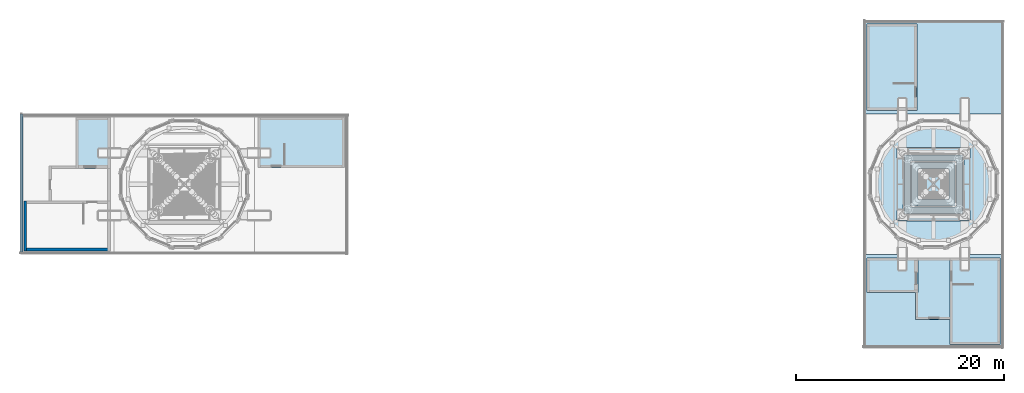
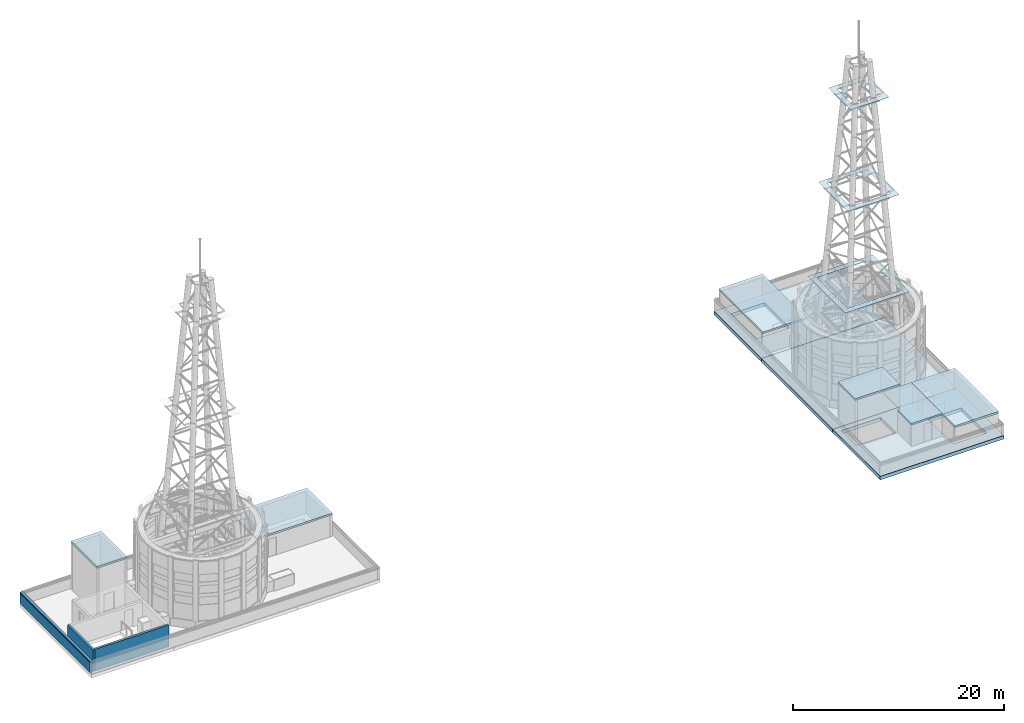
# One storey, part 10 of 36: 12 slabs, 4 walls.
"""IFC4 building model written with IfcOpenShell, lengths in metres."""

from ifc_helpers import new_model, si_unit, direction, frame, frame_2d, origin, place, context, subcontext, project, spatial, polyline, rectangle, outline, extrude, material, layer, layer_set, type_object, element, save


model = new_model("IFC4")

# Units and contexts
model_context = context("Model", 3, precision=1e-05, world=origin(), true_north=direction((0.0, 1.0)))
body_context = subcontext(model_context, "Body", "Model", "MODEL_VIEW")
ifc_project = project(units=[si_unit("LENGTHUNIT", "METRE"), si_unit("AREAUNIT", "SQUARE_METRE"), si_unit("VOLUMEUNIT", "CUBIC_METRE"), si_unit("PLANEANGLEUNIT", "RADIAN"), si_unit("MASSUNIT", "GRAM", prefix="KILO")], contexts=[model_context])

# Site, building, storey
site_placement = place(None, origin())
site = spatial("IfcSite", under=ifc_project, at=site_placement, CompositionType="ELEMENT")
building_placement = place(site_placement, origin())
building = spatial("IfcBuilding", under=site, at=building_placement, Name="Ipe Terrace Towers", CompositionType="ELEMENT")
storey_placement = place(building_placement, frame((0.0, 0.0, 264.89990234375)))
storey = spatial("IfcBuildingStorey", under=building, at=storey_placement, Name="Roof", CompositionType="ELEMENT", Elevation=264.89990234375)

# Slabs
ifc_material_1 = material(Name="Concrete C40/50", Category="concrete")
ifc_layer_1 = layer(ifc_material_1, 0.39990234375)
ifc_layer_set_1 = layer_set([ifc_layer_1], Name="CORE ROOF SLAB 400 C40-50")
slab_type_1 = type_object("IfcSlabType", Name="CORE ROOF SLAB 400 C40-50", PredefinedType="ROOF", material=ifc_layer_set_1)
slab_1_placement = place(storey_placement, frame((0.0, 0.0, -0.39990234375)))
element("IfcSlab", 1, at=slab_1_placement, inside=storey, type_object=slab_type_1, Name="Core roof T2-C1", PredefinedType="ROOF", context=body_context, shape_type="SweptSolid", body=[
    extrude(outline(polyline([(29.25, 6.75), (29.25, 15.75), (42.75, 15.75), (42.75, 6.75), (29.25, 6.75)]), holes=[polyline([(34.10009765625, 14.550048828125), (30.449951171875, 14.550048828125), (30.449951171875, 9.800048828125), (34.10009765625, 9.800048828125), (34.10009765625, 14.550048828125)])]), origin(), (0.0, 0.0, 1.0), 0.39990234375),
])
slab_2_placement = place(storey_placement, frame((0.0, 0.0, -0.39990234375)))
element("IfcSlab", 2, at=slab_2_placement, inside=storey, type_object=slab_type_1, Name="Core roof T2-C2", PredefinedType="ROOF", context=body_context, shape_type="SweptSolid", body=[
    extrude(outline(polyline([(29.25, -15.75), (29.25, -6.75), (42.75, -6.75), (42.75, -15.75), (29.25, -15.75)]), holes=[polyline([(37.89990234375, -9.800048828125), (37.89990234375, -14.550048828125), (41.550048828125, -14.550048828125), (41.550048828125, -9.800048828125), (37.89990234375, -9.800048828125)]), polyline([(29.85009765625, -7.35009765625), (29.85009765625, -10.14990234375), (34.14990234375, -10.14990234375), (34.14990234375, -7.35009765625), (29.85009765625, -7.35009765625)])]), origin(), (0.0, 0.0, 1.0), 0.39990234375),
])
ifc_material_2 = material(Name="Concrete C40/50", Category="concrete")
ifc_layer_2 = layer(ifc_material_2, 0.409912109375)
ifc_layer_set_2 = layer_set([ifc_layer_2], Name="FLAT PLATE ROOF SLAB 410 C40-50")
slab_type_2 = type_object("IfcSlabType", Name="FLAT PLATE ROOF SLAB 410 C40-50", PredefinedType="ROOF", material=ifc_layer_set_2)
slab_3_placement = place(storey_placement, frame((0.0, 0.0, -0.409912109375)))
element("IfcSlab", 3, at=slab_3_placement, inside=storey, type_object=slab_type_2, Name="Slab T2-FS-Z41", PredefinedType="ROOF", context=body_context, shape_type="SweptSolid", body=[
    extrude(outline(polyline([(29.25, 6.75), (42.75, 6.75), (42.75, -6.75), (29.25, -6.75), (29.25, 6.75)])), origin(), (0.0, 0.0, 1.0), 0.409912109375),
])
ifc_material_3 = material(Name="Concrete C40/50", Category="concrete")
ifc_layer_3 = layer(ifc_material_3, 0.199951171875)
ifc_layer_set_3 = layer_set([ifc_layer_3], Name="LIFT HEAD-HOUSE LOBBY ROOF SLAB 200 C40-50")
slab_type_3 = type_object("IfcSlabType", Name="LIFT HEAD-HOUSE LOBBY ROOF SLAB 200 C40-50", PredefinedType="ROOF", material=ifc_layer_set_3)
slab_4_placement = place(storey_placement, frame((0.0, 0.0, 2.5)))
element("IfcSlab", 4, at=slab_4_placement, inside=storey, type_object=slab_type_3, Name="Lift head-house roof T2-C2-lobby", PredefinedType="ROOF", context=body_context, shape_type="SweptSolid", body=[
    extrude(outline(polyline([(34.25, -13.0), (34.25, -10.39990234375), (34.5, -10.39990234375), (34.5, -7.10009765625), (37.60009765625, -7.10009765625), (37.60009765625, -13.0), (34.5, -13.0), (34.25, -13.0)])), origin(), (0.0, 0.0, 1.0), 0.2001953125),
])
ifc_material_4 = material(Name="Concrete C40/50", Category="concrete")
ifc_layer_4 = layer(ifc_material_4, 0.199951171875)
ifc_layer_set_4 = layer_set([ifc_layer_4], Name="LIFT HEAD-HOUSE ROOF SLAB 200 C40-50")
slab_type_4 = type_object("IfcSlabType", Name="LIFT HEAD-HOUSE ROOF SLAB 200 C40-50", PredefinedType="ROOF", material=ifc_layer_set_4)
slab_5_placement = place(storey_placement, frame((0.0, 0.0, 5.400146484375)))
element("IfcSlab", 5, at=slab_5_placement, inside=storey, type_object=slab_type_4, Name="Lift head-house roof T1-C2-shaft", PredefinedType="ROOF", context=body_context, shape_type="SweptSolid", body=[
    extrude(outline(polyline([(-43.10009765625, 6.39990234375), (-46.39990234375, 6.39990234375), (-46.39990234375, 1.5), (-43.10009765625, 1.5), (-43.10009765625, 6.39990234375)])), origin(), (0.0, 0.0, 1.0), 0.199951171875),
])
slab_6_placement = place(storey_placement, frame((0.0, 0.0, 5.400146484375)))
element("IfcSlab", 6, at=slab_6_placement, inside=storey, type_object=slab_type_4, Name="Lift head-house roof T2-C2-shaft", PredefinedType="ROOF", context=body_context, shape_type="SweptSolid", body=[
    extrude(outline(polyline([(29.60009765625, -7.10009765625), (29.60009765625, -10.39990234375), (34.5, -10.39990234375), (34.5, -7.10009765625), (29.60009765625, -7.10009765625)])), origin(), (0.0, 0.0, 1.0), 0.199951171875),
])
ifc_material_5 = material(Name="Steel S355 grating", Category="steel")
ifc_layer_5 = layer(ifc_material_5, 0.030029296875)
ifc_layer_set_5 = layer_set([ifc_layer_5], Name="MAST PLATFORM GRATING DECK 30")
slab_type_5 = type_object("IfcSlabType", Name="MAST PLATFORM GRATING DECK 30", PredefinedType="FLOOR", material=ifc_layer_set_5)
slab_7_placement = place(storey_placement, frame((0.0, 0.0, 10.297119140625)))
element("IfcSlab", 7, at=slab_7_placement, inside=storey, type_object=slab_type_5, Name="mast platform grating deck", PredefinedType="FLOOR", context=body_context, shape_type="SweptSolid", body=[
    extrude(outline(polyline([(39.52099609375, -3.52099609375), (39.52099609375, 3.52099609375), (32.47900390625, 3.52099609375), (32.47900390625, -3.52099609375), (39.52099609375, -3.52099609375)]), holes=[polyline([(38.9208984375, -2.9208984375), (38.9208984375, 2.9208984375), (33.0791015625, 2.9208984375), (33.0791015625, -2.9208984375), (38.9208984375, -2.9208984375)])]), origin(), (0.0, 0.0, 1.0), 0.030029296875),
])
slab_8_placement = place(storey_placement, frame((0.0, 0.0, 21.360107421875)))
element("IfcSlab", 8, at=slab_8_placement, inside=storey, type_object=slab_type_5, Name="mast platform grating deck", PredefinedType="FLOOR", context=body_context, shape_type="SweptSolid", body=[
    extrude(outline(polyline([(38.804931640625, -2.804931640625), (38.804931640625, 2.804931640625), (33.195068359375, 2.804931640625), (33.195068359375, -2.804931640625), (38.804931640625, -2.804931640625)]), holes=[polyline([(38.205078125, -2.205078125), (38.205078125, 2.205078125), (33.794921875, 2.205078125), (33.794921875, -2.205078125), (38.205078125, -2.205078125)])]), origin(), (0.0, 0.0, 1.0), 0.030029296875),
])
slab_9_placement = place(storey_placement, frame((0.0, 0.0, 32.422119140625)))
element("IfcSlab", 9, at=slab_9_placement, inside=storey, type_object=slab_type_5, Name="mast platform grating deck", PredefinedType="FLOOR", context=body_context, shape_type="SweptSolid", body=[
    extrude(outline(polyline([(38.089111328125, -2.089111328125), (38.089111328125, 2.089111328125), (33.910888671875, 2.089111328125), (33.910888671875, -2.089111328125), (38.089111328125, -2.089111328125)]), holes=[polyline([(37.489013671875, -1.489013671875), (37.489013671875, 1.489013671875), (34.510986328125, 1.489013671875), (34.510986328125, -1.489013671875), (37.489013671875, -1.489013671875)])]), origin(), (0.0, 0.0, 1.0), 0.030029296875),
])
ifc_material_6 = material(Name="Concrete C40/50", Category="concrete")
ifc_layer_6 = layer(ifc_material_6, 0.199951171875)
ifc_layer_set_6 = layer_set([ifc_layer_6], Name="STAIR HEAD-HOUSE ROOF SLAB 200 C40-50")
slab_type_6 = type_object("IfcSlabType", Name="STAIR HEAD-HOUSE ROOF SLAB 200 C40-50", PredefinedType="ROOF", material=ifc_layer_set_6)
slab_10_placement = place(storey_placement, frame((0.0, 0.0, 2.5)))
element("IfcSlab", 10, at=slab_10_placement, inside=storey, type_object=slab_type_6, Name="Stair head-house roof T1-C1", PredefinedType="ROOF", context=body_context, shape_type="SweptSolid", body=[
    extrude(outline(polyline([(-28.89990234375, 1.60009765625), (-20.60009765625, 1.60009765625), (-20.60009765625, 6.39990234375), (-28.89990234375, 6.39990234375), (-28.89990234375, 1.60009765625)])), origin(), (0.0, 0.0, 1.0), 0.2001953125),
])
slab_11_placement = place(storey_placement, frame((0.0, 0.0, 2.5)))
element("IfcSlab", 11, at=slab_11_placement, inside=storey, type_object=slab_type_6, Name="Stair head-house roof T2-C1", PredefinedType="ROOF", context=body_context, shape_type="SweptSolid", body=[
    extrude(outline(polyline([(34.39990234375, 7.10009765625), (34.39990234375, 15.39990234375), (29.60009765625, 15.39990234375), (29.60009765625, 7.10009765625), (34.39990234375, 7.10009765625)])), origin(), (0.0, 0.0, 1.0), 0.2001953125),
])
slab_12_placement = place(storey_placement, frame((0.0, 0.0, 2.5)))
element("IfcSlab", 12, at=slab_12_placement, inside=storey, type_object=slab_type_6, Name="Stair head-house roof T2-C2", PredefinedType="ROOF", context=body_context, shape_type="SweptSolid", body=[
    extrude(outline(polyline([(37.60009765625, -7.10009765625), (37.60009765625, -15.39990234375), (42.39990234375, -15.39990234375), (42.39990234375, -7.10009765625), (37.60009765625, -7.10009765625)])), origin(), (0.0, 0.0, 1.0), 0.2001953125),
])

# Walls
ifc_material_7 = material(Name="Concrete C40/50 with buff precast cladding", Category="concrete")
ifc_layer_7 = layer(ifc_material_7, 0.300048828125)
ifc_layer_set_7 = layer_set([ifc_layer_7], Name="PARAPET COPING 300")
wall_type_1 = type_object("IfcWallType", Name="PARAPET COPING 300", PredefinedType="STANDARD", material=ifc_layer_set_7)
wall_1_placement = place(storey_placement, frame((-51.625, 6.75, 1.239990234375), z_axis=(0.0, 0.0, 1.0), x_axis=(0.0, -1.0, 0.0)))
element("IfcWall", 13, at=wall_1_placement, inside=storey, type_object=wall_type_1, Name="parapet stone coping", PredefinedType="STANDARD", context=body_context, shape_type="SweptSolid", body=[
    extrude(rectangle(XDim=13.25, YDim=0.300048828125, at=frame_2d((6.625, 0.0))), origin(), (0.0, 0.0, 1.0), 0.1201171875),
])
ifc_material_8 = material(Name="Concrete C40/50 with buff precast cladding", Category="concrete")
ifc_layer_8 = layer(ifc_material_8, 0.25)
ifc_layer_set_8 = layer_set([ifc_layer_8], Name="PARAPET WALL 250")
wall_type_2 = type_object("IfcWallType", Name="PARAPET WALL 250", PredefinedType="STANDARD", material=ifc_layer_set_8)
wall_2_placement = place(storey_placement, frame((-51.625, 6.75, 0.0400390625), z_axis=(0.0, 0.0, 1.0), x_axis=(0.0, -1.0, 0.0)))
element("IfcWall", 14, at=wall_2_placement, inside=storey, type_object=wall_type_2, Name="parapet", PredefinedType="STANDARD", context=body_context, shape_type="SweptSolid", body=[
    extrude(rectangle(XDim=13.25, YDim=0.25, at=frame_2d((6.625, 0.0))), origin(), (0.0, 0.0, 1.0), 1.199951171875),
])
ifc_material_9 = material(Name="Concrete C40/50", Category="concrete")
ifc_layer_9 = layer(ifc_material_9, 0.25)
ifc_layer_set_9 = layer_set([ifc_layer_9], Name="RW250 STAIR HEAD-HOUSE WALL 250 C40-50")
wall_type_3 = type_object("IfcWallType", Name="RW250 STAIR HEAD-HOUSE WALL 250 C40-50", PredefinedType="SHEAR", material=ifc_layer_set_9)
wall_3_placement = place(storey_placement, frame((-51.27490234375, -1.60009765625, 0.0), z_axis=(0.0, 0.0, 1.0), x_axis=(0.0, -1.0, 0.0)))
element("IfcWall", 15, at=wall_3_placement, inside=storey, type_object=wall_type_3, Name="Stair head-house wall T1-C2-far", PredefinedType="SHEAR", context=body_context, shape_type="SweptSolid", body=[
    extrude(rectangle(XDim=4.7998046875, YDim=0.25, at=frame_2d((2.39990234375, 0.0))), origin(), (0.0, 0.0, 1.0), 2.5),
])
wall_4_placement = place(storey_placement, frame((-43.10009765625, -6.27490234375, 0.0), z_axis=(0.0, 0.0, 1.0), x_axis=(-1.0, 0.0, 0.0)))
element("IfcWall", 16, at=wall_4_placement, inside=storey, type_object=wall_type_3, Name="Stair head-house wall T1-C2-back", PredefinedType="SHEAR", context=body_context, shape_type="SweptSolid", body=[
    extrude(rectangle(XDim=8.2998046875, YDim=0.25, at=frame_2d((4.14990234375, 0.0))), origin(), (0.0, 0.0, 1.0), 2.5),
])

save(model, "model.ifc")
